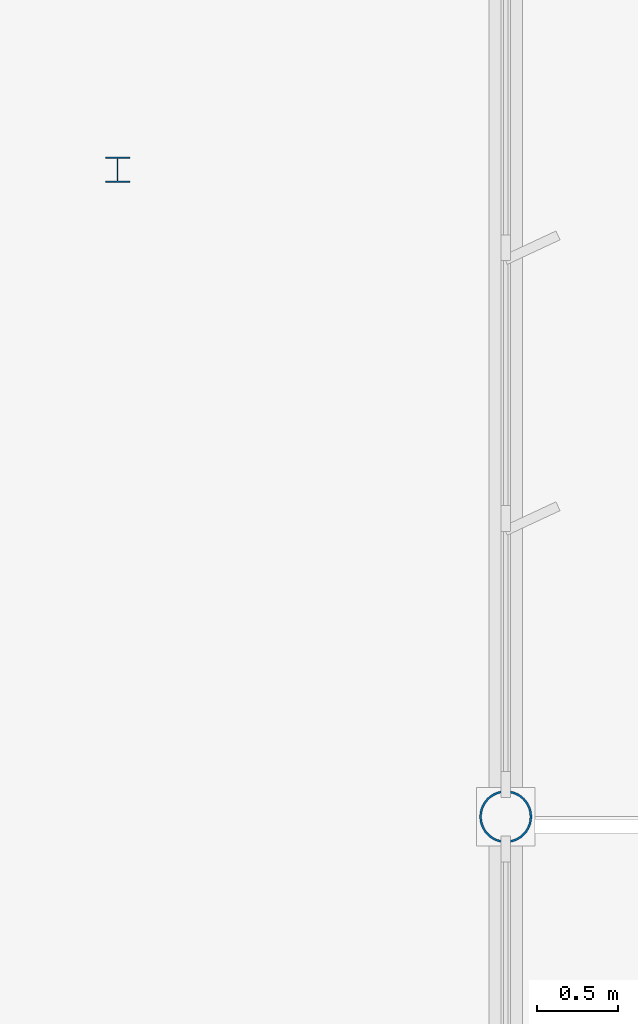
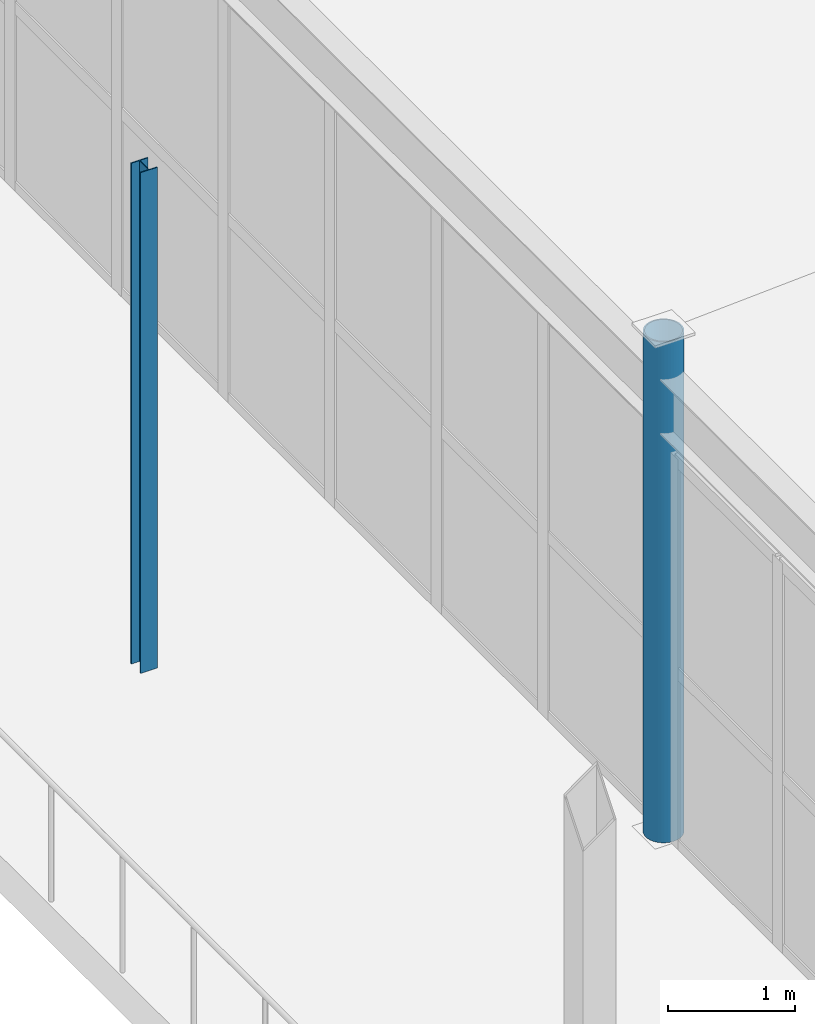
# One storey, part 46 of 226: 2 columns.
"""IFC4 building model written with IfcOpenShell, lengths in metres."""

from ifc_helpers import new_model, si_unit, direction, frame, origin, origin_2d, place, context, subcontext, project, spatial, hollow_circle, i_section, extrude, material, material_profile, profile_set, type_object, element, save


model = new_model("IFC4")

# Units and contexts
model_context = context("Model", 3, precision=1e-05, world=origin(), true_north=direction((0.0, 1.0)))
body_context = subcontext(model_context, "Body", "Model", "MODEL_VIEW")
ifc_project = project(units=[si_unit("LENGTHUNIT", "METRE"), si_unit("AREAUNIT", "SQUARE_METRE"), si_unit("VOLUMEUNIT", "CUBIC_METRE"), si_unit("PLANEANGLEUNIT", "RADIAN"), si_unit("MASSUNIT", "GRAM", prefix="KILO")], contexts=[model_context])

# Site, building, storey
site_placement = place(None, origin())
site = spatial("IfcSite", under=ifc_project, at=site_placement, CompositionType="ELEMENT")
building_placement = place(site_placement, origin())
building = spatial("IfcBuilding", under=site, at=building_placement, Name="Tarnwether General Hospital", CompositionType="ELEMENT")
storey_placement = place(building_placement, frame((0.0, 0.0, 4.800048828125)))
storey = spatial("IfcBuildingStorey", under=building, at=storey_placement, Name="L01", CompositionType="ELEMENT", Elevation=4.800048828125)

# Columns
ifc_material_1 = material(Name="Steel Grade C350L0 (350 MPa)", Category="steel")
ifc_material_profile_1 = material_profile(ifc_material_1, hollow_circle(Radius=0.161865234375, WallThickness=0.0126953125, at=origin_2d()), Name="CHS323.9x12.7")
ifc_profile_set_1 = profile_set([ifc_material_profile_1], Name="Steel Grade C350L0 (350 MPa)")
column_type_1 = type_object("IfcColumnType", Name="COL-26", PredefinedType="COLUMN", material=ifc_profile_set_1)
column_1_placement = place(storey_placement, frame((144.0, 57.60009765625, 0.0), z_axis=(0.0, 0.0, 1.0), x_axis=(1.0, 0.0, 0.0)))
element("IfcColumn", 1, at=column_1_placement, inside=storey, type_object=column_type_1, Name="Column COLG-L01-14400_5760", PredefinedType="COLUMN", context=body_context, shape_type="SweptSolid", body=[
    extrude(hollow_circle(Radius=0.161865234375, WallThickness=0.0126953125, at=origin_2d()), origin(), (0.0, 0.0, 1.0), 4.800048828125),
])
ifc_material_2 = material(Name="Steel Grade 350 (350 MPa)", Category="steel")
ifc_material_profile_2 = material_profile(ifc_material_2, i_section(OverallWidth=0.153076171875, OverallDepth=0.157958984375, WebThickness=0.006591796875, FlangeThickness=0.009521484375, at=origin_2d()), Name="150UC30.0")
ifc_profile_set_2 = profile_set([ifc_material_profile_2], Name="Steel Grade 350 (350 MPa)")
column_type_2 = type_object("IfcColumnType", Name="COL-31", PredefinedType="COLUMN", material=ifc_profile_set_2)
column_2_placement = place(storey_placement, frame((141.60009765625, 61.60009765625, 0.0), z_axis=(0.0, 0.0, 1.0), x_axis=(1.0, 0.0, 0.0)))
element("IfcColumn", 2, at=column_2_placement, inside=storey, type_object=column_type_2, Name="Column COLG-L01-14160_6160", PredefinedType="COLUMN", context=body_context, shape_type="SweptSolid", body=[
    extrude(i_section(OverallWidth=0.153076171875, OverallDepth=0.157958984375, WebThickness=0.006591796875, FlangeThickness=0.009521484375, at=origin_2d()), origin(), (0.0, 0.0, 1.0), 4.800048828125),
])

save(model, "model.ifc")
